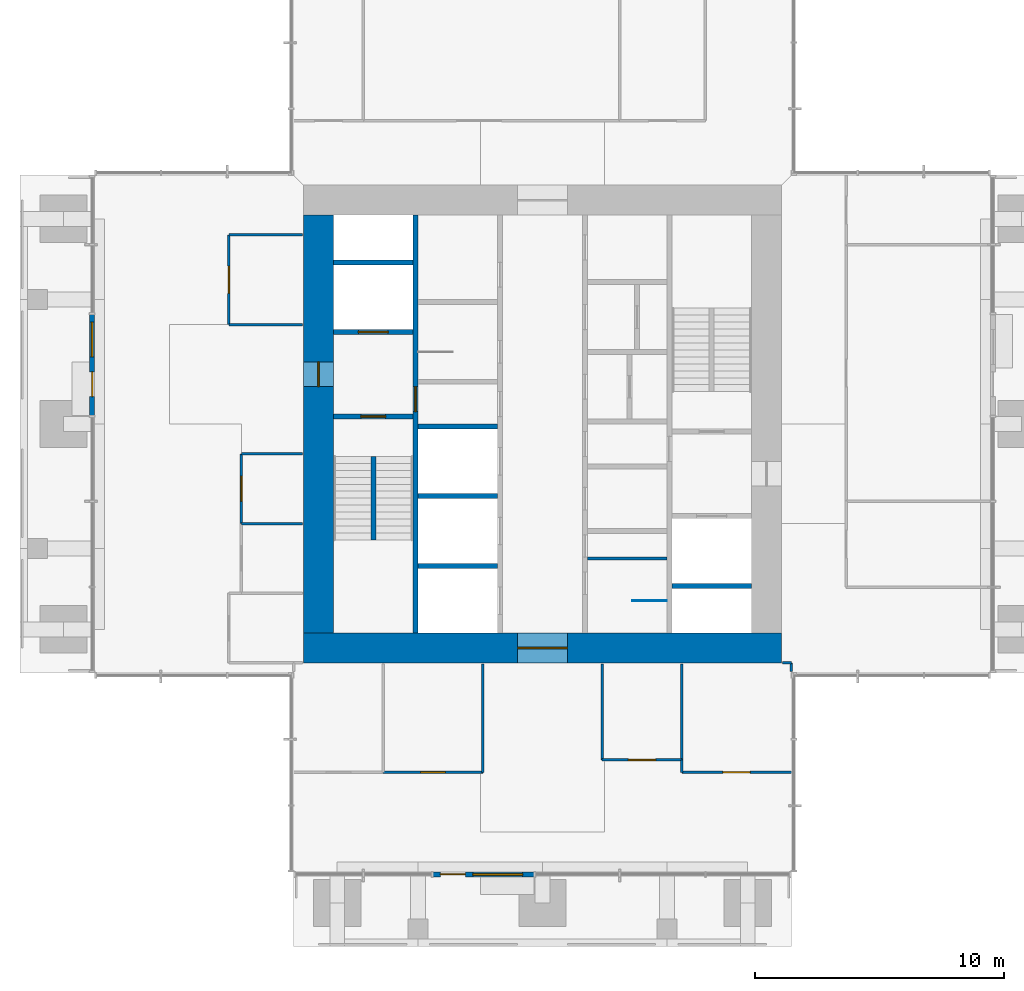
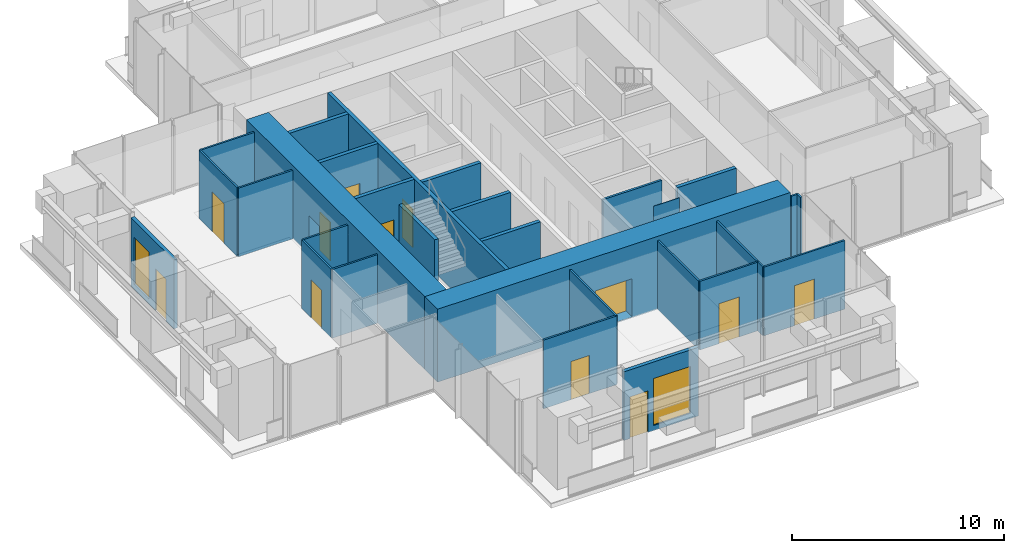
# One storey, part 7 of 12: 30 walls, 12 doors, 2 windows, 14 openings.
"""IFC4 building model written with IfcOpenShell, lengths in metres."""

from ifc_helpers import new_model, si_unit, direction, frame, frame_2d, origin, place, context, subcontext, project, spatial, rectangle, extrude, material, layer, layer_set, type_object, element, fill, save


model = new_model("IFC4")

# Units and contexts
model_context = context("Model", 3, precision=1e-05, world=origin(), true_north=direction((0.0, 1.0)))
body_context = subcontext(model_context, "Body", "Model", "MODEL_VIEW")
ifc_project = project(units=[si_unit("LENGTHUNIT", "METRE"), si_unit("AREAUNIT", "SQUARE_METRE"), si_unit("VOLUMEUNIT", "CUBIC_METRE"), si_unit("PLANEANGLEUNIT", "RADIAN"), si_unit("MASSUNIT", "GRAM", prefix="KILO")], contexts=[model_context])

# Site, building, storey
site_placement = place(None, origin())
site = spatial("IfcSite", under=ifc_project, at=site_placement, CompositionType="ELEMENT")
building_placement = place(site_placement, origin())
building = spatial("IfcBuilding", under=site, at=building_placement, Name="Svetlomir Tower", CompositionType="ELEMENT")
storey_placement = place(building_placement, frame((0.0, 0.0, 256.60009765625)))
storey = spatial("IfcBuildingStorey", under=building, at=storey_placement, Name="L61", CompositionType="ELEMENT", Elevation=256.60009765625)

# Wall, openings, door, window
ifc_material_1 = material(Name="Bronze anodised aluminium glazed screen", Category="aluminium")
ifc_layer_1 = layer(ifc_material_1, 0.199951171875)
ifc_layer_set_1 = layer_set([ifc_layer_1], Name="Bronze anodised aluminium glazed screen")
wall_type_1 = type_object("IfcWallType", Name="BALCONY SCREEN WALL 200", PredefinedType="USERDEFINED", material=ifc_layer_set_1)
wall_1_placement = place(storey_placement, frame((16.60009765625, 2.89990234375, 0.0), z_axis=(0.0, 0.0, 1.0), x_axis=(1.0, 0.0, 0.0)))
wall_1 = element("IfcWall", 1, at=wall_1_placement, inside=storey, type_object=wall_type_1, Name="Balcony screen S", ObjectType="GLAZED SCREEN", PredefinedType="USERDEFINED", context=body_context, shape_type="SweptSolid", body=[
    extrude(rectangle(XDim=4.0498046875, YDim=0.199951171875, at=frame_2d((2.02490234375, 0.0))), origin(), (0.0, 0.0, 1.0), 3.949951171875),
])
opening_1_placement = place(wall_1_placement, frame((0.300048828125, 0.0, 0.0)))
opening_1 = element("IfcOpeningElement", 2, at=opening_1_placement, cuts=wall_1, Name="Opening BD", PredefinedType="OPENING", context=body_context, shape_type="SweptSolid", body=[
    extrude(rectangle(XDim=1.0, YDim=2.39990234375, at=frame_2d((0.5, 1.199951171875))), frame((0.0, 0.10986328125, 0.0), z_axis=(0.0, -1.0, 0.0), x_axis=(1.0, 0.0, 0.0)), (0.0, 0.0, 1.0), 0.219970703125),
])
opening_2_placement = place(wall_1_placement, frame((1.60009765625, 0.0, 0.300048828125)))
opening_2 = element("IfcOpeningElement", 3, at=opening_2_placement, cuts=wall_1, Name="Opening WS", PredefinedType="OPENING", context=body_context, shape_type="SweptSolid", body=[
    extrude(rectangle(XDim=2.0, YDim=2.699951171875, at=frame_2d((1.0, 1.35009765625))), frame((0.0, 0.10986328125, 0.0), z_axis=(0.0, -1.0, 0.0), x_axis=(1.0, 0.0, 0.0)), (0.0, 0.0, 1.0), 0.219970703125),
])
ifc_material_2 = material(Name="Bronze anodised aluminium glazed door", Category="aluminium")
door_type_1 = type_object("IfcDoorType", Name="BALCONY DOOR BD 1000x2400", OperationType="SINGLE_SWING_LEFT", PredefinedType="DOOR", material=ifc_material_2)
door_1_placement = place(opening_1_placement, origin())
door_1 = element("IfcDoor", 4, at=door_1_placement, inside=storey, type_object=door_type_1, Name="Balcony screen S door", OperationType="SINGLE_SWING_LEFT", OverallHeight=2.39990234375, OverallWidth=1.0, PredefinedType="DOOR", context=body_context, shape_type="SweptSolid", body=[
    extrude(rectangle(XDim=1.0, YDim=2.39990234375, at=frame_2d((0.5, 1.199951171875))), frame((0.0, 0.02490234375, 0.0), z_axis=(0.0, -1.0, 0.0), x_axis=(1.0, 0.0, 0.0)), (0.0, 0.0, 1.0), 0.050048828125),
])
fill(opening_1, door_1)
ifc_material_3 = material(Name="Bronze anodised aluminium window", Category="aluminium")
window_type_1 = type_object("IfcWindowType", Name="SCREEN WINDOW WS 2000x2700", PartitioningType="SINGLE_PANEL", PredefinedType="WINDOW", material=ifc_material_3)
window_1_placement = place(opening_2_placement, origin())
window_1 = element("IfcWindow", 5, at=window_1_placement, inside=storey, type_object=window_type_1, Name="Balcony screen S window 1", OverallHeight=2.699951171875, OverallWidth=2.0, PartitioningType="SINGLE_PANEL", PredefinedType="WINDOW", context=body_context, shape_type="SweptSolid", body=[
    extrude(rectangle(XDim=2.0, YDim=2.699951171875, at=frame_2d((1.0, 1.35009765625))), frame((0.0, 0.030029296875, 0.0), z_axis=(0.0, -1.0, 0.0), x_axis=(1.0, 0.0, 0.0)), (0.0, 0.0, 1.0), 0.06005859375),
])
fill(opening_2, window_1)

wall_2_placement = place(storey_placement, frame((2.89990234375, 25.39990234375, 0.0), z_axis=(0.0, 0.0, 1.0), x_axis=(0.0, -1.0, 0.0)))
wall_2 = element("IfcWall", 6, at=wall_2_placement, inside=storey, type_object=wall_type_1, Name="Balcony screen W", ObjectType="GLAZED SCREEN", PredefinedType="USERDEFINED", context=body_context, shape_type="SweptSolid", body=[
    extrude(rectangle(XDim=4.0498046875, YDim=0.199951171875, at=frame_2d((2.02490234375, 0.0))), origin(), (0.0, 0.0, 1.0), 3.949951171875),
])
opening_3_placement = place(wall_2_placement, frame((2.300048828125, 0.0, 0.0)))
opening_3 = element("IfcOpeningElement", 7, at=opening_3_placement, cuts=wall_2, Name="Opening BD", PredefinedType="OPENING", context=body_context, shape_type="SweptSolid", body=[
    extrude(rectangle(XDim=1.0, YDim=2.39990234375, at=frame_2d((0.5, 1.199951171875))), frame((0.0, 0.10986328125, 0.0), z_axis=(0.0, -1.0, 0.0), x_axis=(1.0, 0.0, 0.0)), (0.0, 0.0, 1.0), 0.219970703125),
])
opening_4_placement = place(wall_2_placement, frame((0.300048828125, 0.0, 0.300048828125)))
opening_4 = element("IfcOpeningElement", 8, at=opening_4_placement, cuts=wall_2, Name="Opening WS2", PredefinedType="OPENING", context=body_context, shape_type="SweptSolid", body=[
    extrude(rectangle(XDim=1.39990234375, YDim=2.699951171875, at=frame_2d((0.699951171875, 1.35009765625))), frame((0.0, 0.10986328125, 0.0), z_axis=(0.0, -1.0, 0.0), x_axis=(1.0, 0.0, 0.0)), (0.0, 0.0, 1.0), 0.219970703125),
])
door_2_placement = place(opening_3_placement, origin())
door_2 = element("IfcDoor", 9, at=door_2_placement, inside=storey, type_object=door_type_1, Name="Balcony screen W door", OperationType="SINGLE_SWING_LEFT", OverallHeight=2.39990234375, OverallWidth=1.0, PredefinedType="DOOR", context=body_context, shape_type="SweptSolid", body=[
    extrude(rectangle(XDim=1.0, YDim=2.39990234375, at=frame_2d((0.5, 1.199951171875))), frame((0.0, 0.02490234375, 0.0), z_axis=(0.0, -1.0, 0.0), x_axis=(1.0, 0.0, 0.0)), (0.0, 0.0, 1.0), 0.050048828125),
])
fill(opening_3, door_2)
ifc_material_4 = material(Name="Bronze anodised aluminium window", Category="aluminium")
window_type_2 = type_object("IfcWindowType", Name="SCREEN WINDOW WS2 1400x2700", PartitioningType="SINGLE_PANEL", PredefinedType="WINDOW", material=ifc_material_4)
window_2_placement = place(opening_4_placement, origin())
window_2 = element("IfcWindow", 10, at=window_2_placement, inside=storey, type_object=window_type_2, Name="Balcony screen W window 1", OverallHeight=2.699951171875, OverallWidth=1.39990234375, PartitioningType="SINGLE_PANEL", PredefinedType="WINDOW", context=body_context, shape_type="SweptSolid", body=[
    extrude(rectangle(XDim=1.39990234375, YDim=2.699951171875, at=frame_2d((0.699951171875, 1.35009765625))), frame((0.0, 0.030029296875, 0.0), z_axis=(0.0, -1.0, 0.0), x_axis=(1.0, 0.0, 0.0)), (0.0, 0.0, 1.0), 0.06005859375),
])
fill(opening_4, window_2)

# Wall, opening, door
ifc_material_5 = material(Name="Concrete C60/75", Category="concrete")
ifc_layer_2 = layer(ifc_material_5, 0.199951171875)
ifc_layer_set_2 = layer_set([ifc_layer_2], Name="Concrete C60/75")
wall_type_2 = type_object("IfcWallType", Name="CORE INNER WALL 200", PredefinedType="SHEAR", material=ifc_layer_set_2)
wall_3_placement = place(storey_placement, frame((15.89990234375, 12.60009765625, -0.050048828125), z_axis=(0.0, 0.0, 1.0), x_axis=(0.0, 1.0, 0.0)))
wall_3 = element("IfcWall", 11, at=wall_3_placement, inside=storey, type_object=wall_type_2, Name="Core inner wall 15.9 L61", PredefinedType="SHEAR", context=body_context, shape_type="SweptSolid", body=[
    extrude(rectangle(XDim=16.7998046875, YDim=0.199951171875, at=frame_2d((8.39990234375, 0.0))), origin(), (0.0, 0.0, 1.0), 4.199951171875),
])
opening_5_placement = place(wall_3_placement, frame((8.89990234375, 0.0, 0.050048828125)))
opening_5 = element("IfcOpeningElement", 12, at=opening_5_placement, cuts=wall_3, Name="Opening DF", PredefinedType="OPENING", context=body_context, shape_type="SweptSolid", body=[
    extrude(rectangle(XDim=1.0, YDim=2.199951171875, at=frame_2d((0.5, 1.10009765625))), frame((0.0, 0.10986328125, 0.0), z_axis=(0.0, -1.0, 0.0), x_axis=(1.0, 0.0, 0.0)), (0.0, 0.0, 1.0), 0.219970703125),
])
ifc_material_6 = material(Name="Steel fire door", Category="steel")
door_type_2 = type_object("IfcDoorType", Name="DOOR DF 1000x2200", OperationType="SINGLE_SWING_LEFT", PredefinedType="DOOR", material=ifc_material_6)
door_3_placement = place(opening_5_placement, origin())
door_3 = element("IfcDoor", 13, at=door_3_placement, inside=storey, type_object=door_type_2, Name="Core corridor west door L61", OperationType="SINGLE_SWING_LEFT", OverallHeight=2.199951171875, OverallWidth=1.0, PredefinedType="DOOR", context=body_context, shape_type="SweptSolid", body=[
    extrude(rectangle(XDim=1.0, YDim=2.199951171875, at=frame_2d((0.5, 1.10009765625))), frame((0.0, 0.02490234375, 0.0), z_axis=(0.0, -1.0, 0.0), x_axis=(1.0, 0.0, 0.0)), (0.0, 0.0, 1.0), 0.050048828125),
])
fill(opening_5, door_3)

wall_4_placement = place(storey_placement, frame((12.60009765625, 21.300048828125, -0.050048828125), z_axis=(0.0, 0.0, 1.0), x_axis=(1.0, 0.0, 0.0)))
wall_4 = element("IfcWall", 14, at=wall_4_placement, inside=storey, type_object=wall_type_2, Name="Core inner wall 12.6-15.8/21.3 L61", PredefinedType="SHEAR", context=body_context, shape_type="SweptSolid", body=[
    extrude(rectangle(XDim=3.199951171875, YDim=0.199951171875, at=frame_2d((1.60009765625, 0.0))), origin(), (0.0, 0.0, 1.0), 4.199951171875),
])
opening_6_placement = place(wall_4_placement, frame((1.10009765625, 0.0, 0.050048828125)))
opening_6 = element("IfcOpeningElement", 15, at=opening_6_placement, cuts=wall_4, Name="Opening DF", PredefinedType="OPENING", context=body_context, shape_type="SweptSolid", body=[
    extrude(rectangle(XDim=1.0, YDim=2.199951171875, at=frame_2d((0.5, 1.10009765625))), frame((0.0, 0.10986328125, 0.0), z_axis=(0.0, -1.0, 0.0), x_axis=(1.0, 0.0, 0.0)), (0.0, 0.0, 1.0), 0.219970703125),
])
door_4_placement = place(opening_6_placement, origin())
door_4 = element("IfcDoor", 16, at=door_4_placement, inside=storey, type_object=door_type_2, Name="Stair S1 door L61", OperationType="SINGLE_SWING_RIGHT", OverallHeight=2.199951171875, OverallWidth=1.0, PredefinedType="DOOR", context=body_context, shape_type="SweptSolid", body=[
    extrude(rectangle(XDim=1.0, YDim=2.199951171875, at=frame_2d((0.5, 1.10009765625))), frame((0.0, 0.02490234375, 0.0), z_axis=(0.0, -1.0, 0.0), x_axis=(1.0, 0.0, 0.0)), (0.0, 0.0, 1.0), 0.050048828125),
])
fill(opening_6, door_4)

wall_5_placement = place(storey_placement, frame((12.60009765625, 24.699951171875, -0.050048828125), z_axis=(0.0, 0.0, 1.0), x_axis=(1.0, 0.0, 0.0)))
wall_5 = element("IfcWall", 17, at=wall_5_placement, inside=storey, type_object=wall_type_2, Name="Core inner wall 12.6-15.8/24.7 L61", PredefinedType="SHEAR", context=body_context, shape_type="SweptSolid", body=[
    extrude(rectangle(XDim=3.199951171875, YDim=0.199951171875, at=frame_2d((1.60009765625, 0.0))), origin(), (0.0, 0.0, 1.0), 4.199951171875),
])
opening_7_placement = place(wall_5_placement, frame((1.0, 0.0, 0.050048828125)))
opening_7 = element("IfcOpeningElement", 18, at=opening_7_placement, cuts=wall_5, Name="Opening LD3", PredefinedType="OPENING", context=body_context, shape_type="SweptSolid", body=[
    extrude(rectangle(XDim=1.199951171875, YDim=2.199951171875, at=frame_2d((0.60009765625, 1.10009765625))), frame((0.0, 0.10986328125, 0.0), z_axis=(0.0, -1.0, 0.0), x_axis=(1.0, 0.0, 0.0)), (0.0, 0.0, 1.0), 0.219970703125),
])
ifc_material_7 = material(Name="Stainless steel fire-rated landing door", Category="steel")
door_type_3 = type_object("IfcDoorType", Name="FIREFIGHTING LIFT LANDING DOOR LD3 1200x2200", OperationType="DOUBLE_DOOR_SLIDING", PredefinedType="DOOR", material=ifc_material_7)
door_5_placement = place(opening_7_placement, origin())
door_5 = element("IfcDoor", 19, at=door_5_placement, inside=storey, type_object=door_type_3, Name="Landing door lift FL1 L61", OperationType="DOUBLE_DOOR_SLIDING", OverallHeight=2.199951171875, OverallWidth=1.199951171875, PredefinedType="DOOR", context=body_context, shape_type="SweptSolid", body=[
    extrude(rectangle(XDim=1.199951171875, YDim=2.199951171875, at=frame_2d((0.60009765625, 1.10009765625))), frame((0.0, 0.02490234375, 0.0), z_axis=(0.0, -1.0, 0.0), x_axis=(1.0, 0.0, 0.0)), (0.0, 0.0, 1.0), 0.050048828125),
])
fill(opening_7, door_5)

# Walls
for number, where, z_axis, x_axis, name in (
    (20, (12.60009765625, 27.5, -0.050048828125), (0.0, 0.0, 1.0), (1.0, 0.0, 0.0), "Core inner wall 12.6-15.8/27.5 L61"),
    (21, (16.0, 15.300048828125, -0.050048828125), (0.0, 0.0, 1.0), (1.0, 0.0, 0.0), "Core inner wall 16-19.2/15.3 L61"),
    (22, (16.0, 18.10009765625, -0.050048828125), (0.0, 0.0, 1.0), (1.0, 0.0, 0.0), "Core inner wall 16-19.2/18.1 L61"),
    (23, (16.0, 20.89990234375, -0.050048828125), (0.0, 0.0, 1.0), (1.0, 0.0, 0.0), "Core inner wall 16-19.2/20.9 L61"),
    (24, (26.199951171875, 14.5, -0.050048828125), (0.0, 0.0, 1.0), (1.0, 0.0, 0.0), "Core inner wall 26.2-29.4/14.5 L61"),
):
    element("IfcWall", number, at=place(storey_placement, frame(where, z_axis=z_axis, x_axis=x_axis)), inside=storey, type_object=wall_type_2, Name=name, PredefinedType="SHEAR", context=body_context, shape_type="SweptSolid", body=[
        extrude(rectangle(XDim=3.199951171875, YDim=0.199951171875, at=frame_2d((1.60009765625, 0.0))), origin(), (0.0, 0.0, 1.0), 4.199951171875),
    ])

# Wall, opening, door
ifc_material_8 = material(Name="Concrete C60/75", Category="concrete")
ifc_layer_3 = layer(ifc_material_8, 1.199951171875)
ifc_layer_set_3 = layer_set([ifc_layer_3], Name="Concrete C60/75")
wall_type_3 = type_object("IfcWallType", Name="CORE WALL 1200", PredefinedType="SHEAR", material=ifc_layer_set_3)
wall_6_placement = place(storey_placement, frame((11.39990234375, 12.0, -0.050048828125), z_axis=(0.0, 0.0, 1.0), x_axis=(1.0, 0.0, 0.0)))
wall_6 = element("IfcWall", 25, at=wall_6_placement, inside=storey, type_object=wall_type_3, Name="Core wall south L61", PredefinedType="SHEAR", context=body_context, shape_type="SweptSolid", body=[
    extrude(rectangle(XDim=19.2001953125, YDim=1.199951171875, at=frame_2d((9.60009765625, 0.0))), origin(), (0.0, 0.0, 1.0), 4.199951171875),
])
opening_8_placement = place(wall_6_placement, frame((8.60009765625, 0.0, 0.050048828125)))
opening_8 = element("IfcOpeningElement", 26, at=opening_8_placement, cuts=wall_6, Name="Opening DL", PredefinedType="OPENING", context=body_context, shape_type="SweptSolid", body=[
    extrude(rectangle(XDim=2.0, YDim=2.199951171875, at=frame_2d((1.0, 1.10009765625))), frame((0.0, 0.60986328125, 0.0), z_axis=(0.0, -1.0, 0.0), x_axis=(1.0, 0.0, 0.0)), (0.0, 0.0, 1.0), 1.219970703125),
])
ifc_material_9 = material(Name="Steel fire door", Category="steel")
door_type_4 = type_object("IfcDoorType", Name="DOOR DL 2000x2200", OperationType="DOUBLE_DOOR_SINGLE_SWING", PredefinedType="DOOR", material=ifc_material_9)
door_6_placement = place(opening_8_placement, origin())
door_6 = element("IfcDoor", 27, at=door_6_placement, inside=storey, type_object=door_type_4, Name="Lift lobby south door L61", OperationType="DOUBLE_DOOR_SINGLE_SWING", OverallHeight=2.199951171875, OverallWidth=2.0, PredefinedType="DOOR", context=body_context, shape_type="SweptSolid", body=[
    extrude(rectangle(XDim=2.0, YDim=2.199951171875, at=frame_2d((1.0, 1.10009765625))), frame((0.0, 0.02490234375, 0.0), z_axis=(0.0, -1.0, 0.0), x_axis=(1.0, 0.0, 0.0)), (0.0, 0.0, 1.0), 0.050048828125),
])
fill(opening_8, door_6)

wall_7_placement = place(storey_placement, frame((12.0, 12.60009765625, -0.050048828125), z_axis=(0.0, 0.0, 1.0), x_axis=(0.0, 1.0, 0.0)))
wall_7 = element("IfcWall", 28, at=wall_7_placement, inside=storey, type_object=wall_type_3, Name="Core wall west L61", PredefinedType="SHEAR", context=body_context, shape_type="SweptSolid", body=[
    extrude(rectangle(XDim=16.7998046875, YDim=1.199951171875, at=frame_2d((8.39990234375, 0.0))), origin(), (0.0, 0.0, 1.0), 4.199951171875),
])
opening_9_placement = place(wall_7_placement, frame((9.89990234375, 0.0, 0.050048828125)))
opening_9 = element("IfcOpeningElement", 29, at=opening_9_placement, cuts=wall_7, Name="Opening DF", PredefinedType="OPENING", context=body_context, shape_type="SweptSolid", body=[
    extrude(rectangle(XDim=1.0, YDim=2.199951171875, at=frame_2d((0.5, 1.10009765625))), frame((0.0, 0.60986328125, 0.0), z_axis=(0.0, -1.0, 0.0), x_axis=(1.0, 0.0, 0.0)), (0.0, 0.0, 1.0), 1.219970703125),
])
door_7_placement = place(opening_9_placement, origin())
door_7 = element("IfcDoor", 30, at=door_7_placement, inside=storey, type_object=door_type_2, Name="Firefighting lobby west door L61", OperationType="SINGLE_SWING_RIGHT", OverallHeight=2.199951171875, OverallWidth=1.0, PredefinedType="DOOR", context=body_context, shape_type="SweptSolid", body=[
    extrude(rectangle(XDim=1.0, YDim=2.199951171875, at=frame_2d((0.5, 1.10009765625))), frame((0.0, 0.02490234375, 0.0), z_axis=(0.0, -1.0, 0.0), x_axis=(1.0, 0.0, 0.0)), (0.0, 0.0, 1.0), 0.050048828125),
])
fill(opening_9, door_7)

ifc_material_10 = material(Name="Framed laminated glass partition", Category="glass")
ifc_layer_4 = layer(ifc_material_10, 0.10009765625)
ifc_layer_set_4 = layer_set([ifc_layer_4], Name="Framed laminated glass partition")
wall_type_4 = type_object("IfcWallType", Name="GLAZED PARTITION 100", PredefinedType="PARTITIONING", material=ifc_layer_set_4)
wall_8_placement = place(storey_placement, frame((8.39990234375, 25.0, 0.0), z_axis=(0.0, 0.0, 1.0), x_axis=(0.0, 1.0, 0.0)))
wall_8 = element("IfcWall", 31, at=wall_8_placement, inside=storey, type_object=wall_type_4, Name="Glazed partition L61", PredefinedType="PARTITIONING", context=body_context, shape_type="SweptSolid", body=[
    extrude(rectangle(XDim=3.60009765625, YDim=0.10009765625, at=frame_2d((1.800048828125, 0.0))), origin(), (0.0, 0.0, 1.0), 3.949951171875),
])
opening_10_placement = place(wall_8_placement, frame((1.25, 0.0, 0.0)))
opening_10 = element("IfcOpeningElement", 32, at=opening_10_placement, cuts=wall_8, Name="Opening DE", PredefinedType="OPENING", context=body_context, shape_type="SweptSolid", body=[
    extrude(rectangle(XDim=1.10009765625, YDim=2.300048828125, at=frame_2d((0.550048828125, 1.14990234375))), frame((0.0, 0.06005859375, 0.0), z_axis=(0.0, -1.0, 0.0), x_axis=(1.0, 0.0, 0.0)), (0.0, 0.0, 1.0), 0.1201171875),
])
ifc_material_11 = material(Name="Walnut veneered timber door", Category="wood")
door_type_5 = type_object("IfcDoorType", Name="DOOR DE 1100x2300", OperationType="SINGLE_SWING_LEFT", PredefinedType="DOOR", material=ifc_material_11)
door_8_placement = place(opening_10_placement, origin())
door_8 = element("IfcDoor", 33, at=door_8_placement, inside=storey, type_object=door_type_5, Name="Executive meeting room, 4 seats door L61", OperationType="SINGLE_SWING_RIGHT", OverallHeight=2.300048828125, OverallWidth=1.10009765625, PredefinedType="DOOR", context=body_context, shape_type="SweptSolid", body=[
    extrude(rectangle(XDim=1.10009765625, YDim=2.300048828125, at=frame_2d((0.550048828125, 1.14990234375))), frame((0.0, 0.02490234375, 0.0), z_axis=(0.0, -1.0, 0.0), x_axis=(1.0, 0.0, 0.0)), (0.0, 0.0, 1.0), 0.050048828125),
])
fill(opening_10, door_8)

# Walls
for number, where, z_axis, x_axis, name in (
    (34, (8.39990234375, 25.0, 0.0), (0.0, 0.0, 1.0), (1.0, 0.0, 0.0), "Glazed partition L61"),
    (35, (8.39990234375, 28.60009765625, 0.0), (0.0, 0.0, 1.0), (1.0, 0.0, 0.0), "Glazed partition L61"),
):
    element("IfcWall", number, at=place(storey_placement, frame(where, z_axis=z_axis, x_axis=x_axis)), inside=storey, type_object=wall_type_4, Name=name, PredefinedType="PARTITIONING", context=body_context, shape_type="SweptSolid", body=[
        extrude(rectangle(XDim=2.9501953125, YDim=0.10009765625, at=frame_2d((1.47509765625, 0.0))), origin(), (0.0, 0.0, 1.0), 3.949951171875),
    ])

# Wall, opening, door
wall_9_placement = place(storey_placement, frame((8.89990234375, 17.0, 0.0), z_axis=(0.0, 0.0, 1.0), x_axis=(0.0, 1.0, 0.0)))
wall_9 = element("IfcWall", 36, at=wall_9_placement, inside=storey, type_object=wall_type_4, Name="Partition L61", PredefinedType="PARTITIONING", context=body_context, shape_type="SweptSolid", body=[
    extrude(rectangle(XDim=2.800048828125, YDim=0.10009765625, at=frame_2d((1.39990234375, 0.0))), origin(), (0.0, 0.0, 1.0), 3.949951171875),
])
opening_11_placement = place(wall_9_placement, frame((0.89990234375, 0.0, 0.0)))
opening_11 = element("IfcOpeningElement", 37, at=opening_11_placement, cuts=wall_9, Name="Opening DR", PredefinedType="OPENING", context=body_context, shape_type="SweptSolid", body=[
    extrude(rectangle(XDim=1.0, YDim=2.199951171875, at=frame_2d((0.5, 1.10009765625))), frame((0.0, 0.06005859375, 0.0), z_axis=(0.0, -1.0, 0.0), x_axis=(1.0, 0.0, 0.0)), (0.0, 0.0, 1.0), 0.1201171875),
])
ifc_material_12 = material(Name="Timber door, glazed side light", Category="wood")
door_type_6 = type_object("IfcDoorType", Name="DOOR DR 1000x2200", OperationType="SINGLE_SWING_LEFT", PredefinedType="DOOR", material=ifc_material_12)
door_9_placement = place(opening_11_placement, origin())
door_9 = element("IfcDoor", 38, at=door_9_placement, inside=storey, type_object=door_type_6, Name="Store door L61", OperationType="SINGLE_SWING_LEFT", OverallHeight=2.199951171875, OverallWidth=1.0, PredefinedType="DOOR", context=body_context, shape_type="SweptSolid", body=[
    extrude(rectangle(XDim=1.0, YDim=2.199951171875, at=frame_2d((0.5, 1.10009765625))), frame((0.0, 0.02490234375, 0.0), z_axis=(0.0, -1.0, 0.0), x_axis=(1.0, 0.0, 0.0)), (0.0, 0.0, 1.0), 0.050048828125),
])
fill(opening_11, door_9)

# Walls
for number, where, z_axis, x_axis, name in (
    (39, (8.89990234375, 17.0, 0.0), (0.0, 0.0, 1.0), (1.0, 0.0, 0.0), "Partition L61"),
    (40, (8.89990234375, 19.800048828125, 0.0), (0.0, 0.0, 1.0), (1.0, 0.0, 0.0), "Partition L61"),
):
    element("IfcWall", number, at=place(storey_placement, frame(where, z_axis=z_axis, x_axis=x_axis)), inside=storey, type_object=wall_type_4, Name=name, PredefinedType="PARTITIONING", context=body_context, shape_type="SweptSolid", body=[
        extrude(rectangle(XDim=2.4501953125, YDim=0.10009765625, at=frame_2d((1.22509765625, 0.0))), origin(), (0.0, 0.0, 1.0), 3.949951171875),
    ])

# Wall, opening, door
wall_10_placement = place(storey_placement, frame((14.60009765625, 7.0, 0.0), z_axis=(0.0, 0.0, 1.0), x_axis=(1.0, 0.0, 0.0)))
wall_10 = element("IfcWall", 41, at=wall_10_placement, inside=storey, type_object=wall_type_4, Name="Partition L61", PredefinedType="PARTITIONING", context=body_context, shape_type="SweptSolid", body=[
    extrude(rectangle(XDim=4.0, YDim=0.10009765625, at=frame_2d((2.0, 0.0))), origin(), (0.0, 0.0, 1.0), 3.949951171875),
])
opening_12_placement = place(wall_10_placement, frame((1.5, 0.0, 0.0)))
opening_12 = element("IfcOpeningElement", 42, at=opening_12_placement, cuts=wall_10, Name="Opening DR", PredefinedType="OPENING", context=body_context, shape_type="SweptSolid", body=[
    extrude(rectangle(XDim=1.0, YDim=2.199951171875, at=frame_2d((0.5, 1.10009765625))), frame((0.0, 0.06005859375, 0.0), z_axis=(0.0, -1.0, 0.0), x_axis=(1.0, 0.0, 0.0)), (0.0, 0.0, 1.0), 0.1201171875),
])
door_10_placement = place(opening_12_placement, origin())
door_10 = element("IfcDoor", 43, at=door_10_placement, inside=storey, type_object=door_type_6, Name="PA office 2 door L61", OperationType="SINGLE_SWING_RIGHT", OverallHeight=2.199951171875, OverallWidth=1.0, PredefinedType="DOOR", context=body_context, shape_type="SweptSolid", body=[
    extrude(rectangle(XDim=1.0, YDim=2.199951171875, at=frame_2d((0.5, 1.10009765625))), frame((0.0, 0.02490234375, 0.0), z_axis=(0.0, -1.0, 0.0), x_axis=(1.0, 0.0, 0.0)), (0.0, 0.0, 1.0), 0.050048828125),
])
fill(opening_12, door_10)

# Walls
wall_11_placement = place(storey_placement, frame((18.60009765625, 7.0, 0.0), z_axis=(0.0, 0.0, 1.0), x_axis=(0.0, 1.0, 0.0)))
element("IfcWall", 44, at=wall_11_placement, inside=storey, type_object=wall_type_4, Name="Partition L61", PredefinedType="PARTITIONING", context=body_context, shape_type="SweptSolid", body=[
    extrude(rectangle(XDim=4.35009765625, YDim=0.10009765625, at=frame_2d((2.175048828125, 0.0))), origin(), (0.0, 0.0, 1.0), 3.949951171875),
])
wall_12_placement = place(storey_placement, frame((23.39990234375, 7.5, 0.0), z_axis=(0.0, 0.0, 1.0), x_axis=(0.0, 1.0, 0.0)))
element("IfcWall", 45, at=wall_12_placement, inside=storey, type_object=wall_type_4, Name="Glazed partition L61", PredefinedType="PARTITIONING", context=body_context, shape_type="SweptSolid", body=[
    extrude(rectangle(XDim=3.85009765625, YDim=0.10009765625, at=frame_2d((1.925048828125, 0.0))), origin(), (0.0, 0.0, 1.0), 3.949951171875),
])

# Wall, opening, door
wall_13_placement = place(storey_placement, frame((23.39990234375, 7.5, 0.0), z_axis=(0.0, 0.0, 1.0), x_axis=(1.0, 0.0, 0.0)))
wall_13 = element("IfcWall", 46, at=wall_13_placement, inside=storey, type_object=wall_type_4, Name="Glazed partition L61", PredefinedType="PARTITIONING", context=body_context, shape_type="SweptSolid", body=[
    extrude(rectangle(XDim=3.2001953125, YDim=0.10009765625, at=frame_2d((1.60009765625, 0.0))), origin(), (0.0, 0.0, 1.0), 3.949951171875),
])
opening_13_placement = place(wall_13_placement, frame((1.050048828125, 0.0, 0.0)))
opening_13 = element("IfcOpeningElement", 47, at=opening_13_placement, cuts=wall_13, Name="Opening DE", PredefinedType="OPENING", context=body_context, shape_type="SweptSolid", body=[
    extrude(rectangle(XDim=1.10009765625, YDim=2.300048828125, at=frame_2d((0.550048828125, 1.14990234375))), frame((0.0, 0.06005859375, 0.0), z_axis=(0.0, -1.0, 0.0), x_axis=(1.0, 0.0, 0.0)), (0.0, 0.0, 1.0), 0.1201171875),
])
door_11_placement = place(opening_13_placement, origin())
door_11 = element("IfcDoor", 48, at=door_11_placement, inside=storey, type_object=door_type_5, Name="Executive pantry door L61", OperationType="SINGLE_SWING_LEFT", OverallHeight=2.300048828125, OverallWidth=1.10009765625, PredefinedType="DOOR", context=body_context, shape_type="SweptSolid", body=[
    extrude(rectangle(XDim=1.10009765625, YDim=2.300048828125, at=frame_2d((0.550048828125, 1.14990234375))), frame((0.0, 0.02490234375, 0.0), z_axis=(0.0, -1.0, 0.0), x_axis=(1.0, 0.0, 0.0)), (0.0, 0.0, 1.0), 0.050048828125),
])
fill(opening_13, door_11)

# Wall
wall_14_placement = place(storey_placement, frame((26.60009765625, 7.0, 0.0), z_axis=(0.0, 0.0, 1.0), x_axis=(0.0, 1.0, 0.0)))
element("IfcWall", 49, at=wall_14_placement, inside=storey, type_object=wall_type_4, Name="Glazed partition L61", PredefinedType="PARTITIONING", context=body_context, shape_type="SweptSolid", body=[
    extrude(rectangle(XDim=0.5, YDim=0.10009765625, at=frame_2d((0.25, 0.0))), origin(), (0.0, 0.0, 1.0), 3.949951171875),
])

# Wall, opening, door
wall_15_placement = place(storey_placement, frame((26.60009765625, 7.0, 0.0), z_axis=(0.0, 0.0, 1.0), x_axis=(1.0, 0.0, 0.0)))
wall_15 = element("IfcWall", 50, at=wall_15_placement, inside=storey, type_object=wall_type_4, Name="Glazed partition L61", PredefinedType="PARTITIONING", context=body_context, shape_type="SweptSolid", body=[
    extrude(rectangle(XDim=4.39990234375, YDim=0.10009765625, at=frame_2d((2.199951171875, 0.0))), origin(), (0.0, 0.0, 1.0), 3.949951171875),
])
opening_14_placement = place(wall_15_placement, frame((1.64990234375, 0.0, 0.0)))
opening_14 = element("IfcOpeningElement", 51, at=opening_14_placement, cuts=wall_15, Name="Opening DE", PredefinedType="OPENING", context=body_context, shape_type="SweptSolid", body=[
    extrude(rectangle(XDim=1.10009765625, YDim=2.300048828125, at=frame_2d((0.550048828125, 1.14990234375))), frame((0.0, 0.06005859375, 0.0), z_axis=(0.0, -1.0, 0.0), x_axis=(1.0, 0.0, 0.0)), (0.0, 0.0, 1.0), 0.1201171875),
])
door_12_placement = place(opening_14_placement, origin())
door_12 = element("IfcDoor", 52, at=door_12_placement, inside=storey, type_object=door_type_5, Name="Executive meeting room, 6 seats door L61", OperationType="SINGLE_SWING_LEFT", OverallHeight=2.300048828125, OverallWidth=1.10009765625, PredefinedType="DOOR", context=body_context, shape_type="SweptSolid", body=[
    extrude(rectangle(XDim=1.10009765625, YDim=2.300048828125, at=frame_2d((0.550048828125, 1.14990234375))), frame((0.0, 0.02490234375, 0.0), z_axis=(0.0, -1.0, 0.0), x_axis=(1.0, 0.0, 0.0)), (0.0, 0.0, 1.0), 0.050048828125),
])
fill(opening_14, door_12)

# Walls
wall_16_placement = place(storey_placement, frame((26.60009765625, 7.5, 0.0), z_axis=(0.0, 0.0, 1.0), x_axis=(0.0, 1.0, 0.0)))
element("IfcWall", 53, at=wall_16_placement, inside=storey, type_object=wall_type_4, Name="Partition L61", PredefinedType="PARTITIONING", context=body_context, shape_type="SweptSolid", body=[
    extrude(rectangle(XDim=3.85009765625, YDim=0.10009765625, at=frame_2d((1.925048828125, 0.0))), origin(), (0.0, 0.0, 1.0), 3.949951171875),
])
wall_17_placement = place(storey_placement, frame((30.64990234375, 11.39990234375, 0.0), z_axis=(0.0, 0.0, 1.0), x_axis=(1.0, 0.0, 0.0)))
element("IfcWall", 54, at=wall_17_placement, inside=storey, type_object=wall_type_4, Name="Glazed partition L61", PredefinedType="PARTITIONING", context=body_context, shape_type="SweptSolid", body=[
    extrude(rectangle(XDim=0.35009765625, YDim=0.10009765625, at=frame_2d((0.175048828125, 0.0))), origin(), (0.0, 0.0, 1.0), 3.949951171875),
])
wall_18_placement = place(storey_placement, frame((31.0, 11.050048828125, 0.0), z_axis=(0.0, 0.0, 1.0), x_axis=(0.0, 1.0, 0.0)))
element("IfcWall", 55, at=wall_18_placement, inside=storey, type_object=wall_type_4, Name="Glazed partition L61", PredefinedType="PARTITIONING", context=body_context, shape_type="SweptSolid", body=[
    extrude(rectangle(XDim=0.349853515625, YDim=0.10009765625, at=frame_2d((0.1748046875, 0.0))), origin(), (0.0, 0.0, 1.0), 3.949951171875),
])
ifc_material_13 = material(Name="Gypsum board on steel studs", Category="steel")
ifc_layer_5 = layer(ifc_material_13, 0.1201171875)
ifc_layer_set_5 = layer_set([ifc_layer_5], Name="Gypsum board on steel studs")
wall_type_5 = type_object("IfcWallType", Name="PARTITION 120", PredefinedType="PARTITIONING", material=ifc_layer_set_5)
wall_19_placement = place(storey_placement, frame((22.800048828125, 15.60009765625, 0.0), z_axis=(0.0, 0.0, 1.0), x_axis=(1.0, 0.0, 0.0)))
element("IfcWall", 56, at=wall_19_placement, inside=storey, type_object=wall_type_5, Name="Shower room partition L61", PredefinedType="PARTITIONING", context=body_context, shape_type="SweptSolid", body=[
    extrude(rectangle(XDim=3.199951171875, YDim=0.1201171875, at=frame_2d((1.60009765625, 0.0))), origin(), (0.0, 0.0, 1.0), 3.949951171875),
])
ifc_material_14 = material(Name="Concrete C60/75", Category="concrete")
ifc_layer_6 = layer(ifc_material_14, 0.199951171875)
ifc_layer_set_6 = layer_set([ifc_layer_6], Name="Concrete C60/75")
wall_type_6 = type_object("IfcWallType", Name="STAIR SPINE WALL 200", PredefinedType="PARTITIONING", material=ifc_layer_set_6)
wall_20_placement = place(storey_placement, frame((14.199951171875, 16.340087890625, 0.0), z_axis=(0.0, 0.0, 1.0), x_axis=(0.0, 1.0, 0.0)))
element("IfcWall", 57, at=wall_20_placement, inside=storey, type_object=wall_type_6, Name="Stair S1 spine wall L61", PredefinedType="PARTITIONING", context=body_context, shape_type="SweptSolid", body=[
    extrude(rectangle(XDim=3.35986328125, YDim=0.199951171875, at=frame_2d((1.679931640625, 0.0))), origin(), (0.0, 0.0, 1.0), 4.199951171875),
])
ifc_material_15 = material(Name="Compact laminate panel", Category="plastic")
ifc_layer_7 = layer(ifc_material_15, 0.030029296875)
ifc_layer_set_7 = layer_set([ifc_layer_7], Name="Compact laminate panel")
wall_type_7 = type_object("IfcWallType", Name="WC CUBICLE PARTITION 30", PredefinedType="PARTITIONING", material=ifc_layer_set_7)
wall_21_placement = place(storey_placement, frame((24.60009765625, 13.89990234375, 0.0), z_axis=(0.0, 0.0, 1.0), x_axis=(1.0, 0.0, 0.0)))
element("IfcWall", 58, at=wall_21_placement, inside=storey, type_object=wall_type_7, Name="WC cubicle partition L61", PredefinedType="PARTITIONING", context=body_context, shape_type="SweptSolid", body=[
    extrude(rectangle(XDim=1.39990234375, YDim=0.030029296875, at=frame_2d((0.699951171875, 0.0))), origin(), (0.0, 0.0, 1.0), 3.949951171875),
])

save(model, "model.ifc")
